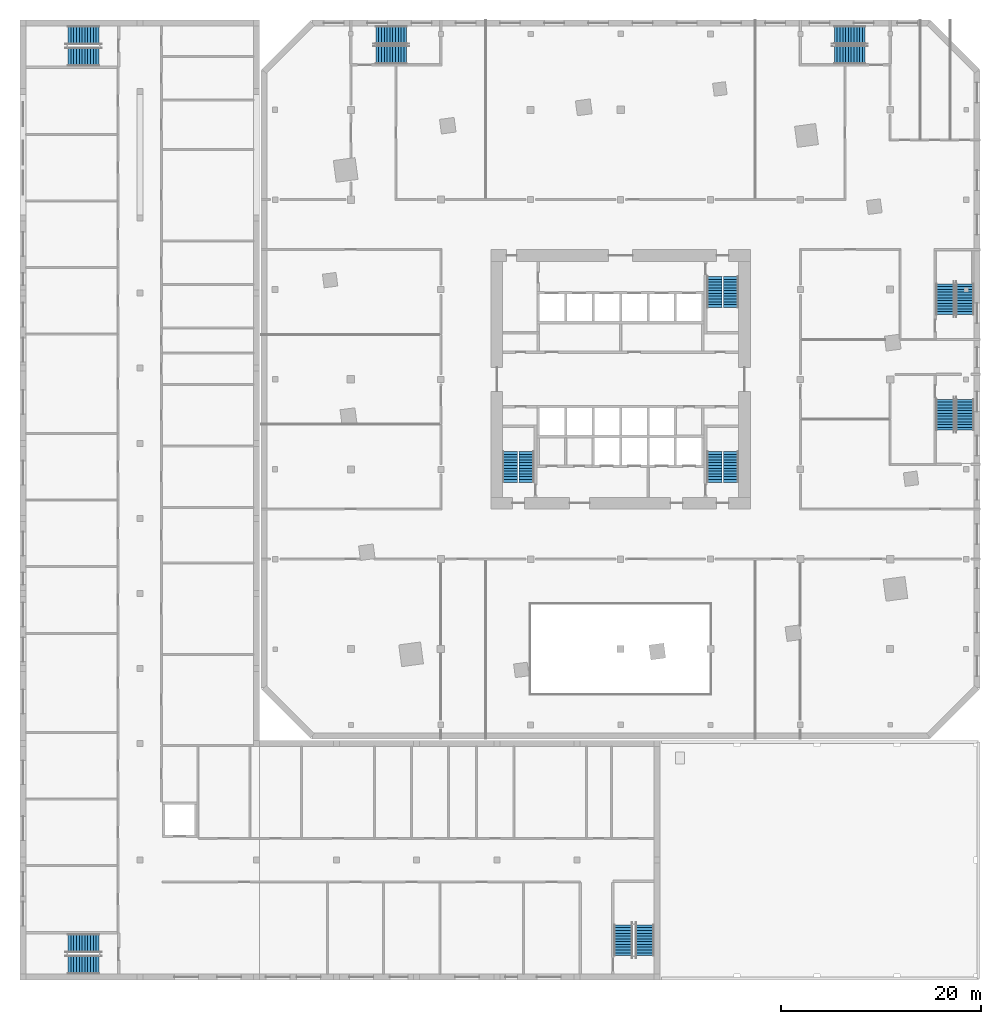
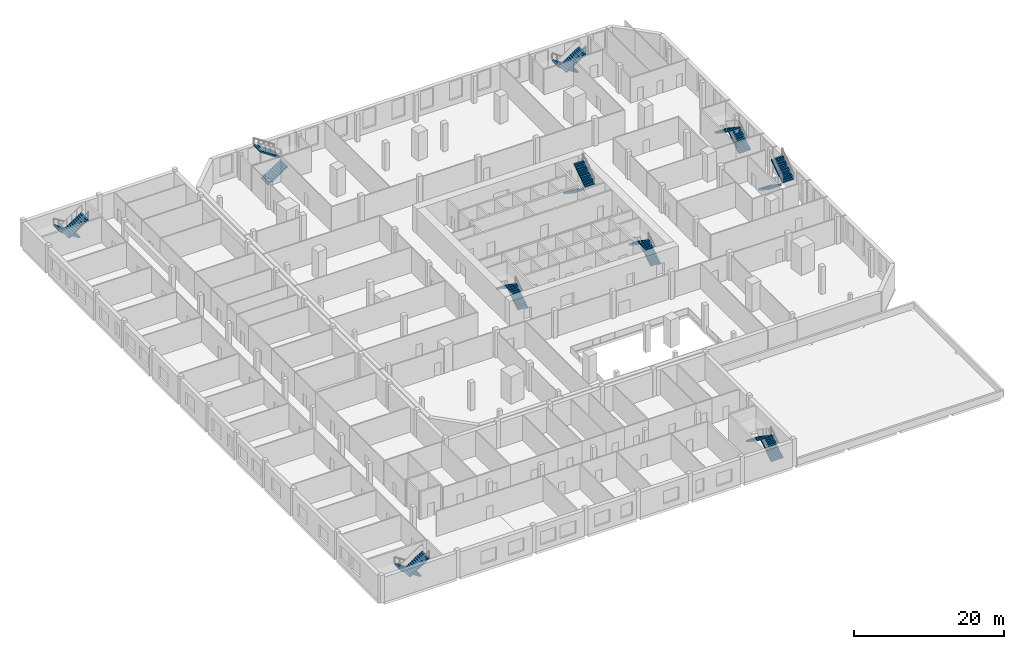
# One storey, part 14 of 20: 20 stair flights, 10 elements without a shape of their own.
"""IFC4 building model written with IfcOpenShell, lengths in metres."""

from ifc_helpers import new_model, si_unit, direction, frame, origin, place, context, subcontext, project, spatial, polyline, outline, extrude, material, type_object, element, aggregate, save


model = new_model("IFC4")

# Units and contexts
model_context = context("Model", 3, precision=1e-05, world=origin(), true_north=direction((0.0, 1.0)))
body_context = subcontext(model_context, "Body", "Model", "MODEL_VIEW")
ifc_project = project(units=[si_unit("LENGTHUNIT", "METRE"), si_unit("AREAUNIT", "SQUARE_METRE"), si_unit("VOLUMEUNIT", "CUBIC_METRE"), si_unit("PLANEANGLEUNIT", "RADIAN"), si_unit("MASSUNIT", "GRAM", prefix="KILO")], contexts=[model_context])

# Site, building, storey
site_placement = place(None, origin())
site = spatial("IfcSite", under=ifc_project, at=site_placement, CompositionType="ELEMENT")
building_placement = place(site_placement, origin())
building = spatial("IfcBuilding", under=site, at=building_placement, Name="Dilmun Exchange Tower", CompositionType="ELEMENT")
storey_placement = place(building_placement, frame((0.0, 0.0, 9.0)))
storey = spatial("IfcBuildingStorey", under=building, at=storey_placement, Name="L02", CompositionType="ELEMENT", Elevation=9.0)

# Stair, stair flights
ifc_material = material(Name="Concrete C40/50", Category="concrete")
stair_type_1 = type_object("IfcStairType", Name="Exit stair 1500 half-turn", PredefinedType="HALF_TURN_STAIR", material=ifc_material)
stair_1_placement = place(storey_placement, origin())
stair_1 = element("IfcStair", 1, at=stair_1_placement, inside=storey, type_object=stair_type_1, Name="L02 Protected exit stair ST1", PredefinedType="HALF_TURN_STAIR")
stair_flight_type_1 = type_object("IfcStairFlightType", Name="Exit stair flight 1500", PredefinedType="STRAIGHT", material=ifc_material)
stair_flight_1_placement = place(storey_placement, frame((9.39990234375, 10.300048828125, 0.0), z_axis=(0.0, 0.0, 1.0), x_axis=(0.0, -1.0, 0.0)))
stair_flight_1 = element("IfcStairFlight", 2, at=stair_flight_1_placement, type_object=stair_flight_type_1, Name="ST1 flight 1", NumberOfRisers=12, NumberOfTreads=11, PredefinedType="STRAIGHT", RiserHeight=0.1875, TreadLength=0.28, context=body_context, shape_type="SweptSolid", body=[
    extrude(outline(polyline([(0.0, 0.0), (0.0, 0.1875), (0.280029296875, 0.1875), (0.280029296875, 0.375), (0.56005859375, 0.375), (0.56005859375, 0.5625), (0.840087890625, 0.5625), (0.840087890625, 0.75), (1.1201171875, 0.75), (1.1201171875, 0.9375), (1.39990234375, 0.9375), (1.39990234375, 1.125), (1.679931640625, 1.125), (1.679931640625, 1.3125), (1.9599609375, 1.3125), (1.9599609375, 1.5), (2.239990234375, 1.5), (2.239990234375, 1.6875), (2.52001953125, 1.6875), (2.52001953125, 1.875), (2.800048828125, 1.875), (2.800048828125, 2.0625), (3.080078125, 2.0625), (3.080078125, 2.25), (3.080078125, 1.882080078125), (0.26953125, 0.0), (0.0, 0.0)])), frame((0.0, 0.75, 0.0), z_axis=(0.0, -1.0, 0.0), x_axis=(1.0, 0.0, 0.0)), (0.0, 0.0, 1.0), 1.5),
])
stair_flight_2_placement = place(storey_placement, frame((11.050048828125, 7.219970703125, 2.25), z_axis=(0.0, 0.0, 1.0), x_axis=(0.0, 1.0, 0.0)))
stair_flight_2 = element("IfcStairFlight", 3, at=stair_flight_2_placement, type_object=stair_flight_type_1, Name="ST1 flight 2", NumberOfRisers=12, NumberOfTreads=11, PredefinedType="STRAIGHT", RiserHeight=0.1875, TreadLength=0.28, context=body_context, shape_type="SweptSolid", body=[
    extrude(outline(polyline([(0.0, 0.0), (0.0, 0.1875), (0.280029296875, 0.1875), (0.280029296875, 0.375), (0.56005859375, 0.375), (0.56005859375, 0.5625), (0.840087890625, 0.5625), (0.840087890625, 0.75), (1.1201171875, 0.75), (1.1201171875, 0.9375), (1.39990234375, 0.9375), (1.39990234375, 1.125), (1.679931640625, 1.125), (1.679931640625, 1.3125), (1.9599609375, 1.3125), (1.9599609375, 1.5), (2.239990234375, 1.5), (2.239990234375, 1.6875), (2.52001953125, 1.6875), (2.52001953125, 1.875), (2.800048828125, 1.875), (2.800048828125, 2.0625), (3.080078125, 2.0625), (3.080078125, 2.25), (3.080078125, 1.882080078125), (0.26953125, 0.0), (0.0, 0.0)])), frame((0.0, 0.75, 0.0), z_axis=(0.0, -1.0, 0.0), x_axis=(1.0, 0.0, 0.0)), (0.0, 0.0, 1.0), 1.5),
])
aggregate(stair_1, [stair_flight_1, stair_flight_2])

stair_2_placement = place(storey_placement, origin())
stair_2 = element("IfcStair", 4, at=stair_2_placement, inside=storey, type_object=stair_type_1, Name="L02 Protected exit stair ST2", PredefinedType="HALF_TURN_STAIR")
stair_flight_3_placement = place(storey_placement, frame((-9.39990234375, -10.300048828125, 0.0), z_axis=(0.0, 0.0, 1.0), x_axis=(0.0, 1.0, 0.0)))
stair_flight_3 = element("IfcStairFlight", 5, at=stair_flight_3_placement, type_object=stair_flight_type_1, Name="ST2 flight 1", NumberOfRisers=12, NumberOfTreads=11, PredefinedType="STRAIGHT", RiserHeight=0.1875, TreadLength=0.28, context=body_context, shape_type="SweptSolid", body=[
    extrude(outline(polyline([(0.0, 0.0), (0.0, 0.1875), (0.280029296875, 0.1875), (0.280029296875, 0.375), (0.56005859375, 0.375), (0.56005859375, 0.5625), (0.840087890625, 0.5625), (0.840087890625, 0.75), (1.1201171875, 0.75), (1.1201171875, 0.9375), (1.39990234375, 0.9375), (1.39990234375, 1.125), (1.679931640625, 1.125), (1.679931640625, 1.3125), (1.9599609375, 1.3125), (1.9599609375, 1.5), (2.239990234375, 1.5), (2.239990234375, 1.6875), (2.52001953125, 1.6875), (2.52001953125, 1.875), (2.800048828125, 1.875), (2.800048828125, 2.0625), (3.080078125, 2.0625), (3.080078125, 2.25), (3.080078125, 1.882080078125), (0.26953125, 0.0), (0.0, 0.0)])), frame((0.0, 0.75, 0.0), z_axis=(0.0, -1.0, 0.0), x_axis=(1.0, 0.0, 0.0)), (0.0, 0.0, 1.0), 1.5),
])
stair_flight_4_placement = place(storey_placement, frame((-11.050048828125, -7.219970703125, 2.25), z_axis=(0.0, 0.0, 1.0), x_axis=(0.0, -1.0, 0.0)))
stair_flight_4 = element("IfcStairFlight", 6, at=stair_flight_4_placement, type_object=stair_flight_type_1, Name="ST2 flight 2", NumberOfRisers=12, NumberOfTreads=11, PredefinedType="STRAIGHT", RiserHeight=0.1875, TreadLength=0.28, context=body_context, shape_type="SweptSolid", body=[
    extrude(outline(polyline([(0.0, 0.0), (0.0, 0.1875), (0.280029296875, 0.1875), (0.280029296875, 0.375), (0.56005859375, 0.375), (0.56005859375, 0.5625), (0.840087890625, 0.5625), (0.840087890625, 0.75), (1.1201171875, 0.75), (1.1201171875, 0.9375), (1.39990234375, 0.9375), (1.39990234375, 1.125), (1.679931640625, 1.125), (1.679931640625, 1.3125), (1.9599609375, 1.3125), (1.9599609375, 1.5), (2.239990234375, 1.5), (2.239990234375, 1.6875), (2.52001953125, 1.6875), (2.52001953125, 1.875), (2.800048828125, 1.875), (2.800048828125, 2.0625), (3.080078125, 2.0625), (3.080078125, 2.25), (3.080078125, 1.882080078125), (0.26953125, 0.0), (0.0, 0.0)])), frame((0.0, 0.75, 0.0), z_axis=(0.0, -1.0, 0.0), x_axis=(1.0, 0.0, 0.0)), (0.0, 0.0, 1.0), 1.5),
])
aggregate(stair_2, [stair_flight_3, stair_flight_4])

stair_3_placement = place(storey_placement, origin())
stair_3 = element("IfcStair", 7, at=stair_3_placement, inside=storey, type_object=stair_type_1, Name="L02 Protected exit stair ST3", PredefinedType="HALF_TURN_STAIR")
stair_flight_5_placement = place(storey_placement, frame((11.050048828125, -10.300048828125, 0.0), z_axis=(0.0, 0.0, 1.0), x_axis=(0.0, 1.0, 0.0)))
stair_flight_5 = element("IfcStairFlight", 8, at=stair_flight_5_placement, type_object=stair_flight_type_1, Name="ST3 flight 1", NumberOfRisers=12, NumberOfTreads=11, PredefinedType="STRAIGHT", RiserHeight=0.1875, TreadLength=0.28, context=body_context, shape_type="SweptSolid", body=[
    extrude(outline(polyline([(0.0, 0.0), (0.0, 0.1875), (0.280029296875, 0.1875), (0.280029296875, 0.375), (0.56005859375, 0.375), (0.56005859375, 0.5625), (0.840087890625, 0.5625), (0.840087890625, 0.75), (1.1201171875, 0.75), (1.1201171875, 0.9375), (1.39990234375, 0.9375), (1.39990234375, 1.125), (1.679931640625, 1.125), (1.679931640625, 1.3125), (1.9599609375, 1.3125), (1.9599609375, 1.5), (2.239990234375, 1.5), (2.239990234375, 1.6875), (2.52001953125, 1.6875), (2.52001953125, 1.875), (2.800048828125, 1.875), (2.800048828125, 2.0625), (3.080078125, 2.0625), (3.080078125, 2.25), (3.080078125, 1.882080078125), (0.26953125, 0.0), (0.0, 0.0)])), frame((0.0, 0.75, 0.0), z_axis=(0.0, -1.0, 0.0), x_axis=(1.0, 0.0, 0.0)), (0.0, 0.0, 1.0), 1.5),
])
stair_flight_6_placement = place(storey_placement, frame((9.39990234375, -7.219970703125, 2.25), z_axis=(0.0, 0.0, 1.0), x_axis=(0.0, -1.0, 0.0)))
stair_flight_6 = element("IfcStairFlight", 9, at=stair_flight_6_placement, type_object=stair_flight_type_1, Name="ST3 flight 2", NumberOfRisers=12, NumberOfTreads=11, PredefinedType="STRAIGHT", RiserHeight=0.1875, TreadLength=0.28, context=body_context, shape_type="SweptSolid", body=[
    extrude(outline(polyline([(0.0, 0.0), (0.0, 0.1875), (0.280029296875, 0.1875), (0.280029296875, 0.375), (0.56005859375, 0.375), (0.56005859375, 0.5625), (0.840087890625, 0.5625), (0.840087890625, 0.75), (1.1201171875, 0.75), (1.1201171875, 0.9375), (1.39990234375, 0.9375), (1.39990234375, 1.125), (1.679931640625, 1.125), (1.679931640625, 1.3125), (1.9599609375, 1.3125), (1.9599609375, 1.5), (2.239990234375, 1.5), (2.239990234375, 1.6875), (2.52001953125, 1.6875), (2.52001953125, 1.875), (2.800048828125, 1.875), (2.800048828125, 2.0625), (3.080078125, 2.0625), (3.080078125, 2.25), (3.080078125, 1.882080078125), (0.26953125, 0.0), (0.0, 0.0)])), frame((0.0, 0.75, 0.0), z_axis=(0.0, -1.0, 0.0), x_axis=(1.0, 0.0, 0.0)), (0.0, 0.0, 1.0), 1.5),
])
aggregate(stair_3, [stair_flight_5, stair_flight_6])

stair_type_2 = type_object("IfcStairType", Name="Podium exit stair 1500", PredefinedType="HALF_TURN_STAIR", material=ifc_material)
stair_4_placement = place(storey_placement, origin())
stair_4 = element("IfcStair", 10, at=stair_4_placement, inside=storey, type_object=stair_type_2, Name="L02 Podium exit stair PS1", PredefinedType="HALF_TURN_STAIR")
stair_flight_type_2 = type_object("IfcStairFlightType", Name="Podium stair flight 1500", PredefinedType="STRAIGHT", material=ifc_material)
stair_flight_7_placement = place(storey_placement, frame((-24.5, 32.511962890625, 0.0), z_axis=(0.0, 0.0, 1.0), x_axis=(1.0, 0.0, 0.0)))
stair_flight_7 = element("IfcStairFlight", 11, at=stair_flight_7_placement, type_object=stair_flight_type_2, Name="PS1 flight 1", NumberOfRisers=12, NumberOfTreads=11, PredefinedType="STRAIGHT", RiserHeight=0.1875, TreadLength=0.28, context=body_context, shape_type="SweptSolid", body=[
    extrude(outline(polyline([(0.0, 0.0), (0.0, 0.1875), (0.280029296875, 0.1875), (0.280029296875, 0.375), (0.56005859375, 0.375), (0.56005859375, 0.5625), (0.840087890625, 0.5625), (0.840087890625, 0.75), (1.1201171875, 0.75), (1.1201171875, 0.9375), (1.39990234375, 0.9375), (1.39990234375, 1.125), (1.679931640625, 1.125), (1.679931640625, 1.3125), (1.9599609375, 1.3125), (1.9599609375, 1.5), (2.239990234375, 1.5), (2.239990234375, 1.6875), (2.52001953125, 1.6875), (2.52001953125, 1.875), (2.800048828125, 1.875), (2.800048828125, 2.0625), (3.080078125, 2.0625), (3.080078125, 2.25), (3.080078125, 1.882080078125), (0.26953125, 0.0), (0.0, 0.0)])), frame((0.0, 0.912109375, 0.0), z_axis=(0.0, -1.0, 0.0), x_axis=(1.0, 0.0, 0.0)), (0.0, 0.0, 1.0), 1.823974609375),
])
stair_flight_8_placement = place(storey_placement, frame((-21.419921875, 34.486083984375, 2.25), z_axis=(0.0, 0.0, 1.0), x_axis=(-1.0, 0.0, 0.0)))
stair_flight_8 = element("IfcStairFlight", 12, at=stair_flight_8_placement, type_object=stair_flight_type_2, Name="PS1 flight 2", NumberOfRisers=12, NumberOfTreads=11, PredefinedType="STRAIGHT", RiserHeight=0.1875, TreadLength=0.28, context=body_context, shape_type="SweptSolid", body=[
    extrude(outline(polyline([(0.0, 0.0), (0.0, 0.1875), (0.280029296875, 0.1875), (0.280029296875, 0.375), (0.56005859375, 0.375), (0.56005859375, 0.5625), (0.840087890625, 0.5625), (0.840087890625, 0.75), (1.1201171875, 0.75), (1.1201171875, 0.9375), (1.39990234375, 0.9375), (1.39990234375, 1.125), (1.679931640625, 1.125), (1.679931640625, 1.3125), (1.9599609375, 1.3125), (1.9599609375, 1.5), (2.239990234375, 1.5), (2.239990234375, 1.6875), (2.52001953125, 1.6875), (2.52001953125, 1.875), (2.800048828125, 1.875), (2.800048828125, 2.0625), (3.080078125, 2.0625), (3.080078125, 2.25), (3.080078125, 1.882080078125), (0.26953125, 0.0), (0.0, 0.0)])), frame((0.0, 0.912109375, 0.0), z_axis=(0.0, -1.0, 0.0), x_axis=(1.0, 0.0, 0.0)), (0.0, 0.0, 1.0), 1.823974609375),
])
aggregate(stair_4, [stair_flight_7, stair_flight_8])

stair_5_placement = place(storey_placement, origin())
stair_5 = element("IfcStair", 13, at=stair_5_placement, inside=storey, type_object=stair_type_2, Name="L02 Podium exit stair PS2", PredefinedType="HALF_TURN_STAIR")
stair_flight_9_placement = place(storey_placement, frame((24.5, 34.486083984375, 0.0), z_axis=(0.0, 0.0, 1.0), x_axis=(-1.0, 0.0, 0.0)))
stair_flight_9 = element("IfcStairFlight", 14, at=stair_flight_9_placement, type_object=stair_flight_type_2, Name="PS2 flight 1", NumberOfRisers=12, NumberOfTreads=11, PredefinedType="STRAIGHT", RiserHeight=0.1875, TreadLength=0.28, context=body_context, shape_type="SweptSolid", body=[
    extrude(outline(polyline([(0.0, 0.0), (0.0, 0.1875), (0.280029296875, 0.1875), (0.280029296875, 0.375), (0.56005859375, 0.375), (0.56005859375, 0.5625), (0.840087890625, 0.5625), (0.840087890625, 0.75), (1.1201171875, 0.75), (1.1201171875, 0.9375), (1.39990234375, 0.9375), (1.39990234375, 1.125), (1.679931640625, 1.125), (1.679931640625, 1.3125), (1.9599609375, 1.3125), (1.9599609375, 1.5), (2.239990234375, 1.5), (2.239990234375, 1.6875), (2.52001953125, 1.6875), (2.52001953125, 1.875), (2.800048828125, 1.875), (2.800048828125, 2.0625), (3.080078125, 2.0625), (3.080078125, 2.25), (3.080078125, 1.882080078125), (0.26953125, 0.0), (0.0, 0.0)])), frame((0.0, 0.912109375, 0.0), z_axis=(0.0, -1.0, 0.0), x_axis=(1.0, 0.0, 0.0)), (0.0, 0.0, 1.0), 1.823974609375),
])
stair_flight_10_placement = place(storey_placement, frame((21.419921875, 32.511962890625, 2.25), z_axis=(0.0, 0.0, 1.0), x_axis=(1.0, 0.0, 0.0)))
stair_flight_10 = element("IfcStairFlight", 15, at=stair_flight_10_placement, type_object=stair_flight_type_2, Name="PS2 flight 2", NumberOfRisers=12, NumberOfTreads=11, PredefinedType="STRAIGHT", RiserHeight=0.1875, TreadLength=0.28, context=body_context, shape_type="SweptSolid", body=[
    extrude(outline(polyline([(0.0, 0.0), (0.0, 0.1875), (0.280029296875, 0.1875), (0.280029296875, 0.375), (0.56005859375, 0.375), (0.56005859375, 0.5625), (0.840087890625, 0.5625), (0.840087890625, 0.75), (1.1201171875, 0.75), (1.1201171875, 0.9375), (1.39990234375, 0.9375), (1.39990234375, 1.125), (1.679931640625, 1.125), (1.679931640625, 1.3125), (1.9599609375, 1.3125), (1.9599609375, 1.5), (2.239990234375, 1.5), (2.239990234375, 1.6875), (2.52001953125, 1.6875), (2.52001953125, 1.875), (2.800048828125, 1.875), (2.800048828125, 2.0625), (3.080078125, 2.0625), (3.080078125, 2.25), (3.080078125, 1.882080078125), (0.26953125, 0.0), (0.0, 0.0)])), frame((0.0, 0.912109375, 0.0), z_axis=(0.0, -1.0, 0.0), x_axis=(1.0, 0.0, 0.0)), (0.0, 0.0, 1.0), 1.823974609375),
])
aggregate(stair_5, [stair_flight_9, stair_flight_10])

stair_6_placement = place(storey_placement, origin())
stair_6 = element("IfcStair", 16, at=stair_6_placement, inside=storey, type_object=stair_type_2, Name="L02 Podium exit stair PS3", PredefinedType="HALF_TURN_STAIR")
stair_flight_11_placement = place(storey_placement, frame((32.511962890625, -2.0, 0.0), z_axis=(0.0, 0.0, 1.0), x_axis=(0.0, -1.0, 0.0)))
stair_flight_11 = element("IfcStairFlight", 17, at=stair_flight_11_placement, type_object=stair_flight_type_2, Name="PS3 flight 1", NumberOfRisers=12, NumberOfTreads=11, PredefinedType="STRAIGHT", RiserHeight=0.1875, TreadLength=0.28, context=body_context, shape_type="SweptSolid", body=[
    extrude(outline(polyline([(0.0, 0.0), (0.0, 0.1875), (0.280029296875, 0.1875), (0.280029296875, 0.375), (0.56005859375, 0.375), (0.56005859375, 0.5625), (0.840087890625, 0.5625), (0.840087890625, 0.75), (1.1201171875, 0.75), (1.1201171875, 0.9375), (1.39990234375, 0.9375), (1.39990234375, 1.125), (1.679931640625, 1.125), (1.679931640625, 1.3125), (1.9599609375, 1.3125), (1.9599609375, 1.5), (2.239990234375, 1.5), (2.239990234375, 1.6875), (2.52001953125, 1.6875), (2.52001953125, 1.875), (2.800048828125, 1.875), (2.800048828125, 2.0625), (3.080078125, 2.0625), (3.080078125, 2.25), (3.080078125, 1.882080078125), (0.26953125, 0.0), (0.0, 0.0)])), frame((0.0, 0.912109375, 0.0), z_axis=(0.0, -1.0, 0.0), x_axis=(1.0, 0.0, 0.0)), (0.0, 0.0, 1.0), 1.823974609375),
])
stair_flight_12_placement = place(storey_placement, frame((34.486083984375, -5.080078125, 2.25), z_axis=(0.0, 0.0, 1.0), x_axis=(0.0, 1.0, 0.0)))
stair_flight_12 = element("IfcStairFlight", 18, at=stair_flight_12_placement, type_object=stair_flight_type_2, Name="PS3 flight 2", NumberOfRisers=12, NumberOfTreads=11, PredefinedType="STRAIGHT", RiserHeight=0.1875, TreadLength=0.28, context=body_context, shape_type="SweptSolid", body=[
    extrude(outline(polyline([(0.0, 0.0), (0.0, 0.1875), (0.280029296875, 0.1875), (0.280029296875, 0.375), (0.56005859375, 0.375), (0.56005859375, 0.5625), (0.840087890625, 0.5625), (0.840087890625, 0.75), (1.1201171875, 0.75), (1.1201171875, 0.9375), (1.39990234375, 0.9375), (1.39990234375, 1.125), (1.679931640625, 1.125), (1.679931640625, 1.3125), (1.9599609375, 1.3125), (1.9599609375, 1.5), (2.239990234375, 1.5), (2.239990234375, 1.6875), (2.52001953125, 1.6875), (2.52001953125, 1.875), (2.800048828125, 1.875), (2.800048828125, 2.0625), (3.080078125, 2.0625), (3.080078125, 2.25), (3.080078125, 1.882080078125), (0.26953125, 0.0), (0.0, 0.0)])), frame((0.0, 0.912109375, 0.0), z_axis=(0.0, -1.0, 0.0), x_axis=(1.0, 0.0, 0.0)), (0.0, 0.0, 1.0), 1.823974609375),
])
aggregate(stair_6, [stair_flight_11, stair_flight_12])

stair_7_placement = place(storey_placement, origin())
stair_7 = element("IfcStair", 19, at=stair_7_placement, inside=storey, type_object=stair_type_2, Name="L02 Podium exit stair PS4", PredefinedType="HALF_TURN_STAIR")
stair_flight_13_placement = place(storey_placement, frame((34.486083984375, 6.5, 0.0), z_axis=(0.0, 0.0, 1.0), x_axis=(0.0, 1.0, 0.0)))
stair_flight_13 = element("IfcStairFlight", 20, at=stair_flight_13_placement, type_object=stair_flight_type_2, Name="PS4 flight 1", NumberOfRisers=12, NumberOfTreads=11, PredefinedType="STRAIGHT", RiserHeight=0.1875, TreadLength=0.28, context=body_context, shape_type="SweptSolid", body=[
    extrude(outline(polyline([(0.0, 0.0), (0.0, 0.1875), (0.280029296875, 0.1875), (0.280029296875, 0.375), (0.56005859375, 0.375), (0.56005859375, 0.5625), (0.840087890625, 0.5625), (0.840087890625, 0.75), (1.1201171875, 0.75), (1.1201171875, 0.9375), (1.39990234375, 0.9375), (1.39990234375, 1.125), (1.679931640625, 1.125), (1.679931640625, 1.3125), (1.9599609375, 1.3125), (1.9599609375, 1.5), (2.239990234375, 1.5), (2.239990234375, 1.6875), (2.52001953125, 1.6875), (2.52001953125, 1.875), (2.800048828125, 1.875), (2.800048828125, 2.0625), (3.080078125, 2.0625), (3.080078125, 2.25), (3.080078125, 1.882080078125), (0.26953125, 0.0), (0.0, 0.0)])), frame((0.0, 0.912109375, 0.0), z_axis=(0.0, -1.0, 0.0), x_axis=(1.0, 0.0, 0.0)), (0.0, 0.0, 1.0), 1.823974609375),
])
stair_flight_14_placement = place(storey_placement, frame((32.511962890625, 9.580078125, 2.25), z_axis=(0.0, 0.0, 1.0), x_axis=(0.0, -1.0, 0.0)))
stair_flight_14 = element("IfcStairFlight", 21, at=stair_flight_14_placement, type_object=stair_flight_type_2, Name="PS4 flight 2", NumberOfRisers=12, NumberOfTreads=11, PredefinedType="STRAIGHT", RiserHeight=0.1875, TreadLength=0.28, context=body_context, shape_type="SweptSolid", body=[
    extrude(outline(polyline([(0.0, 0.0), (0.0, 0.1875), (0.280029296875, 0.1875), (0.280029296875, 0.375), (0.56005859375, 0.375), (0.56005859375, 0.5625), (0.840087890625, 0.5625), (0.840087890625, 0.75), (1.1201171875, 0.75), (1.1201171875, 0.9375), (1.39990234375, 0.9375), (1.39990234375, 1.125), (1.679931640625, 1.125), (1.679931640625, 1.3125), (1.9599609375, 1.3125), (1.9599609375, 1.5), (2.239990234375, 1.5), (2.239990234375, 1.6875), (2.52001953125, 1.6875), (2.52001953125, 1.875), (2.800048828125, 1.875), (2.800048828125, 2.0625), (3.080078125, 2.0625), (3.080078125, 2.25), (3.080078125, 1.882080078125), (0.26953125, 0.0), (0.0, 0.0)])), frame((0.0, 0.912109375, 0.0), z_axis=(0.0, -1.0, 0.0), x_axis=(1.0, 0.0, 0.0)), (0.0, 0.0, 1.0), 1.823974609375),
])
aggregate(stair_7, [stair_flight_13, stair_flight_14])

stair_type_3 = type_object("IfcStairType", Name="School exit stair 1850 wide", PredefinedType="HALF_TURN_STAIR", material=ifc_material)
stair_8_placement = place(storey_placement, origin())
stair_8 = element("IfcStair", 22, at=stair_8_placement, inside=storey, type_object=stair_type_3, Name="L02 Stair S1", PredefinedType="HALF_TURN_STAIR")
stair_flight_type_3 = type_object("IfcStairFlightType", Name="School stair flight 1850 wide", PredefinedType="STRAIGHT", material=ifc_material)
stair_flight_15_placement = place(storey_placement, frame((-52.25, 34.47509765625, 0.0), z_axis=(0.0, 0.0, 1.0), x_axis=(-1.0, 0.0, 0.0)))
stair_flight_15 = element("IfcStairFlight", 23, at=stair_flight_15_placement, type_object=stair_flight_type_3, Name="SCH-S1 flight 1", NumberOfRisers=12, NumberOfTreads=11, PredefinedType="STRAIGHT", RiserHeight=0.1875, TreadLength=0.28, context=body_context, shape_type="SweptSolid", body=[
    extrude(outline(polyline([(0.0, 0.0), (0.0, 0.1875), (0.280029296875, 0.1875), (0.280029296875, 0.375), (0.56005859375, 0.375), (0.56005859375, 0.5625), (0.840087890625, 0.5625), (0.840087890625, 0.75), (1.1201171875, 0.75), (1.1201171875, 0.9375), (1.39990234375, 0.9375), (1.39990234375, 1.125), (1.679931640625, 1.125), (1.679931640625, 1.3125), (1.9599609375, 1.3125), (1.9599609375, 1.5), (2.239990234375, 1.5), (2.239990234375, 1.6875), (2.52001953125, 1.6875), (2.52001953125, 1.875), (2.800048828125, 1.875), (2.800048828125, 2.0625), (3.080078125, 2.0625), (3.080078125, 2.25), (3.080078125, 1.882080078125), (0.26953125, 0.0), (0.0, 0.0)])), frame((0.0, 0.925048828125, 0.0), z_axis=(0.0, -1.0, 0.0), x_axis=(1.0, 0.0, 0.0)), (0.0, 0.0, 1.0), 1.85009765625),
])
stair_flight_16_placement = place(storey_placement, frame((-55.330078125, 32.324951171875, 2.25), z_axis=(0.0, 0.0, 1.0), x_axis=(1.0, 0.0, 0.0)))
stair_flight_16 = element("IfcStairFlight", 24, at=stair_flight_16_placement, type_object=stair_flight_type_3, Name="SCH-S1 flight 2", NumberOfRisers=12, NumberOfTreads=11, PredefinedType="STRAIGHT", RiserHeight=0.1875, TreadLength=0.28, context=body_context, shape_type="SweptSolid", body=[
    extrude(outline(polyline([(0.0, 0.0), (0.0, 0.1875), (0.280029296875, 0.1875), (0.280029296875, 0.375), (0.56005859375, 0.375), (0.56005859375, 0.5625), (0.840087890625, 0.5625), (0.840087890625, 0.75), (1.1201171875, 0.75), (1.1201171875, 0.9375), (1.39990234375, 0.9375), (1.39990234375, 1.125), (1.679931640625, 1.125), (1.679931640625, 1.3125), (1.9599609375, 1.3125), (1.9599609375, 1.5), (2.239990234375, 1.5), (2.239990234375, 1.6875), (2.52001953125, 1.6875), (2.52001953125, 1.875), (2.800048828125, 1.875), (2.800048828125, 2.0625), (3.080078125, 2.0625), (3.080078125, 2.25), (3.080078125, 1.882080078125), (0.26953125, 0.0), (0.0, 0.0)])), frame((0.0, 0.925048828125, 0.0), z_axis=(0.0, -1.0, 0.0), x_axis=(1.0, 0.0, 0.0)), (0.0, 0.0, 1.0), 1.85009765625),
])
aggregate(stair_8, [stair_flight_15, stair_flight_16])

stair_9_placement = place(storey_placement, origin())
stair_9 = element("IfcStair", 25, at=stair_9_placement, inside=storey, type_object=stair_type_3, Name="L02 Stair S2", PredefinedType="HALF_TURN_STAIR")
stair_flight_17_placement = place(storey_placement, frame((-52.25, -56.47509765625, 0.0), z_axis=(0.0, 0.0, 1.0), x_axis=(-1.0, 0.0, 0.0)))
stair_flight_17 = element("IfcStairFlight", 26, at=stair_flight_17_placement, type_object=stair_flight_type_3, Name="SCH-S2 flight 1", NumberOfRisers=12, NumberOfTreads=11, PredefinedType="STRAIGHT", RiserHeight=0.1875, TreadLength=0.28, context=body_context, shape_type="SweptSolid", body=[
    extrude(outline(polyline([(0.0, 0.0), (0.0, 0.1875), (0.280029296875, 0.1875), (0.280029296875, 0.375), (0.56005859375, 0.375), (0.56005859375, 0.5625), (0.840087890625, 0.5625), (0.840087890625, 0.75), (1.1201171875, 0.75), (1.1201171875, 0.9375), (1.39990234375, 0.9375), (1.39990234375, 1.125), (1.679931640625, 1.125), (1.679931640625, 1.3125), (1.9599609375, 1.3125), (1.9599609375, 1.5), (2.239990234375, 1.5), (2.239990234375, 1.6875), (2.52001953125, 1.6875), (2.52001953125, 1.875), (2.800048828125, 1.875), (2.800048828125, 2.0625), (3.080078125, 2.0625), (3.080078125, 2.25), (3.080078125, 1.882080078125), (0.26953125, 0.0), (0.0, 0.0)])), frame((0.0, 0.925048828125, 0.0), z_axis=(0.0, -1.0, 0.0), x_axis=(1.0, 0.0, 0.0)), (0.0, 0.0, 1.0), 1.85009765625),
])
stair_flight_18_placement = place(storey_placement, frame((-55.330078125, -58.625, 2.25), z_axis=(0.0, 0.0, 1.0), x_axis=(1.0, 0.0, 0.0)))
stair_flight_18 = element("IfcStairFlight", 27, at=stair_flight_18_placement, type_object=stair_flight_type_3, Name="SCH-S2 flight 2", NumberOfRisers=12, NumberOfTreads=11, PredefinedType="STRAIGHT", RiserHeight=0.1875, TreadLength=0.28, context=body_context, shape_type="SweptSolid", body=[
    extrude(outline(polyline([(0.0, 0.0), (0.0, 0.1875), (0.280029296875, 0.1875), (0.280029296875, 0.375), (0.56005859375, 0.375), (0.56005859375, 0.5625), (0.840087890625, 0.5625), (0.840087890625, 0.75), (1.1201171875, 0.75), (1.1201171875, 0.9375), (1.39990234375, 0.9375), (1.39990234375, 1.125), (1.679931640625, 1.125), (1.679931640625, 1.3125), (1.9599609375, 1.3125), (1.9599609375, 1.5), (2.239990234375, 1.5), (2.239990234375, 1.6875), (2.52001953125, 1.6875), (2.52001953125, 1.875), (2.800048828125, 1.875), (2.800048828125, 2.0625), (3.080078125, 2.0625), (3.080078125, 2.25), (3.080078125, 1.882080078125), (0.26953125, 0.0), (0.0, 0.0)])), frame((0.0, 0.925048828125, 0.0), z_axis=(0.0, -1.0, 0.0), x_axis=(1.0, 0.0, 0.0)), (0.0, 0.0, 1.0), 1.85009765625),
])
aggregate(stair_9, [stair_flight_17, stair_flight_18])

stair_10_placement = place(storey_placement, origin())
stair_10 = element("IfcStair", 28, at=stair_10_placement, inside=storey, type_object=stair_type_3, Name="L02 Stair S3", PredefinedType="HALF_TURN_STAIR")
stair_flight_19_placement = place(storey_placement, frame((2.4130859375, -57.7099609375, 0.0), z_axis=(0.0, 0.0, 1.0), x_axis=(0.0, 1.0, 0.0)))
stair_flight_19 = element("IfcStairFlight", 29, at=stair_flight_19_placement, type_object=stair_flight_type_3, Name="SCH-S3 flight 1", NumberOfRisers=12, NumberOfTreads=11, PredefinedType="STRAIGHT", RiserHeight=0.1875, TreadLength=0.28, context=body_context, shape_type="SweptSolid", body=[
    extrude(outline(polyline([(0.0, 0.0), (0.0, 0.1875), (0.280029296875, 0.1875), (0.280029296875, 0.375), (0.56005859375, 0.375), (0.56005859375, 0.5625), (0.840087890625, 0.5625), (0.840087890625, 0.75), (1.1201171875, 0.75), (1.1201171875, 0.9375), (1.39990234375, 0.9375), (1.39990234375, 1.125), (1.679931640625, 1.125), (1.679931640625, 1.3125), (1.9599609375, 1.3125), (1.9599609375, 1.5), (2.239990234375, 1.5), (2.239990234375, 1.6875), (2.52001953125, 1.6875), (2.52001953125, 1.875), (2.800048828125, 1.875), (2.800048828125, 2.0625), (3.080078125, 2.0625), (3.080078125, 2.25), (3.080078125, 1.882080078125), (0.26953125, 0.0), (0.0, 0.0)])), frame((0.0, 0.919921875, 0.0), z_axis=(0.0, -1.0, 0.0), x_axis=(1.0, 0.0, 0.0)), (0.0, 0.0, 1.0), 1.840087890625),
])
stair_flight_20_placement = place(storey_placement, frame((0.27294921875, -54.6298828125, 2.25), z_axis=(0.0, 0.0, 1.0), x_axis=(0.0, -1.0, 0.0)))
stair_flight_20 = element("IfcStairFlight", 30, at=stair_flight_20_placement, type_object=stair_flight_type_3, Name="SCH-S3 flight 2", NumberOfRisers=12, NumberOfTreads=11, PredefinedType="STRAIGHT", RiserHeight=0.1875, TreadLength=0.28, context=body_context, shape_type="SweptSolid", body=[
    extrude(outline(polyline([(0.0, 0.0), (0.0, 0.1875), (0.280029296875, 0.1875), (0.280029296875, 0.375), (0.56005859375, 0.375), (0.56005859375, 0.5625), (0.840087890625, 0.5625), (0.840087890625, 0.75), (1.1201171875, 0.75), (1.1201171875, 0.9375), (1.39990234375, 0.9375), (1.39990234375, 1.125), (1.679931640625, 1.125), (1.679931640625, 1.3125), (1.9599609375, 1.3125), (1.9599609375, 1.5), (2.239990234375, 1.5), (2.239990234375, 1.6875), (2.52001953125, 1.6875), (2.52001953125, 1.875), (2.800048828125, 1.875), (2.800048828125, 2.0625), (3.080078125, 2.0625), (3.080078125, 2.25), (3.080078125, 1.882080078125), (0.26953125, 0.0), (0.0, 0.0)])), frame((0.0, 0.919921875, 0.0), z_axis=(0.0, -1.0, 0.0), x_axis=(1.0, 0.0, 0.0)), (0.0, 0.0, 1.0), 1.840087890625),
])
aggregate(stair_10, [stair_flight_19, stair_flight_20])

save(model, "model.ifc")
